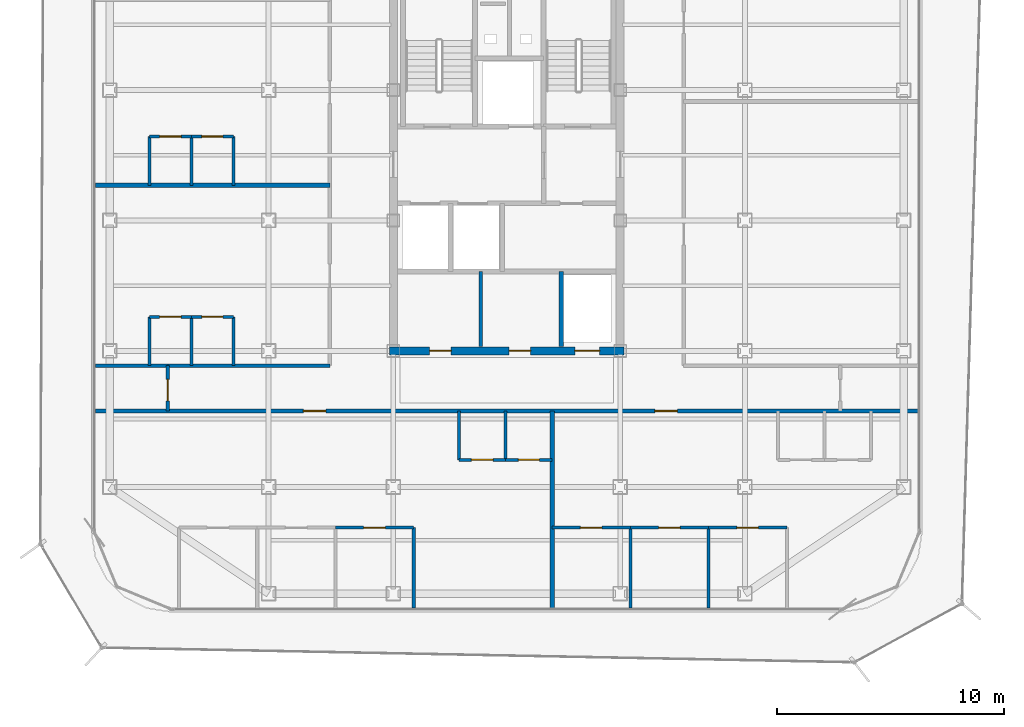
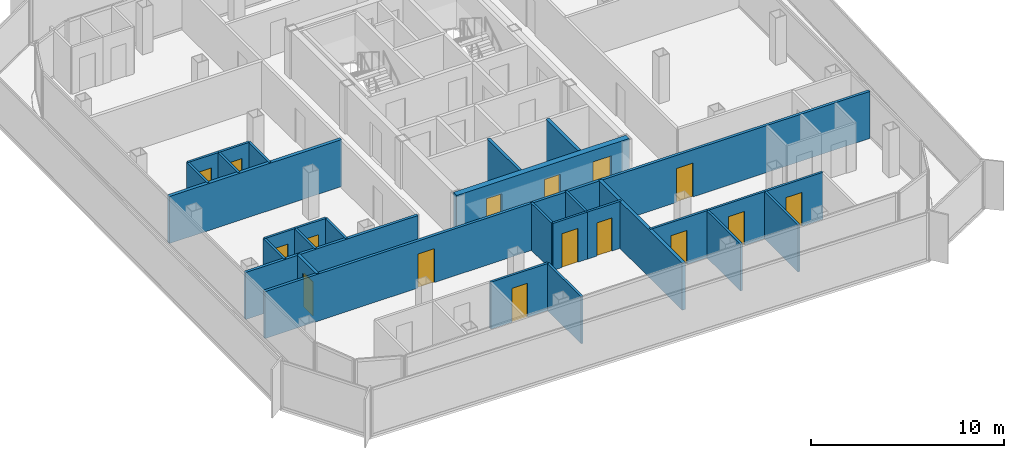
# One storey, part 10 of 15: 30 walls, 16 doors, 16 openings.
"""IFC4 building model written with IfcOpenShell, lengths in metres."""

from ifc_helpers import new_model, si_unit, direction, frame, frame_2d, origin, place, context, subcontext, project, spatial, rectangle, extrude, material, layer, layer_set, type_object, element, fill, save


model = new_model("IFC4")

# Units and contexts
model_context = context("Model", 3, precision=1e-05, world=origin(), true_north=direction((0.0, 1.0)))
body_context = subcontext(model_context, "Body", "Model", "MODEL_VIEW")
ifc_project = project(units=[si_unit("LENGTHUNIT", "METRE"), si_unit("AREAUNIT", "SQUARE_METRE"), si_unit("VOLUMEUNIT", "CUBIC_METRE"), si_unit("PLANEANGLEUNIT", "RADIAN"), si_unit("MASSUNIT", "GRAM", prefix="KILO")], contexts=[model_context])

# Site, building, storey
site_placement = place(None, origin())
site = spatial("IfcSite", under=ifc_project, at=site_placement, CompositionType="ELEMENT")
building_placement = place(site_placement, origin())
building = spatial("IfcBuilding", under=site, at=building_placement, Name="Kolveth Station Tower", CompositionType="ELEMENT")
storey_placement = place(building_placement, frame((0.0, 0.0, 258.5)))
storey = spatial("IfcBuildingStorey", under=building, at=storey_placement, Name="L74", CompositionType="ELEMENT", Elevation=258.5)

# Wall, openings, doors
ifc_material_1 = material(Name="Concrete C50/60", Category="concrete")
ifc_layer_1 = layer(ifc_material_1, 0.35009765625)
ifc_layer_set_1 = layer_set([ifc_layer_1], Name="Concrete C50/60")
wall_type_1 = type_object("IfcWallType", Name="Wall_CW-350", PredefinedType="SHEAR", material=ifc_layer_set_1)
wall_1_placement = place(storey_placement, frame((18.324951171875, 11.5, 0.0), z_axis=(0.0, 0.0, 1.0), x_axis=(1.0, 0.0, 0.0)))
wall_1 = element("IfcWall", 1, at=wall_1_placement, inside=storey, type_object=wall_type_1, Name="L74 Core RC Shear Wall S", PredefinedType="SHEAR", context=body_context, shape_type="SweptSolid", body=[
    extrude(rectangle(XDim=10.35009765625, YDim=0.35009765625, at=frame_2d((5.175048828125, 0.0))), origin(), (0.0, 0.0, 1.0), 2.97998046875),
])
opening_1_placement = place(wall_1_placement, frame((1.77490234375, 0.0, 0.0)))
opening_1 = element("IfcOpeningElement", 2, at=opening_1_placement, cuts=wall_1, Name="Opening ID1", PredefinedType="OPENING", context=body_context, shape_type="SweptSolid", body=[
    extrude(rectangle(XDim=0.949951171875, YDim=2.14990234375, at=frame_2d((0.47509765625, 1.074951171875))), frame((0.0, 0.18505859375, 0.0), z_axis=(0.0, -1.0, 0.0), x_axis=(1.0, 0.0, 0.0)), (0.0, 0.0, 1.0), 0.3701171875),
])
opening_2_placement = place(wall_1_placement, frame((5.27490234375, 0.0, 0.0)))
opening_2 = element("IfcOpeningElement", 3, at=opening_2_placement, cuts=wall_1, Name="Opening ID1", PredefinedType="OPENING", context=body_context, shape_type="SweptSolid", body=[
    extrude(rectangle(XDim=0.949951171875, YDim=2.14990234375, at=frame_2d((0.47509765625, 1.074951171875))), frame((0.0, 0.18505859375, 0.0), z_axis=(0.0, -1.0, 0.0), x_axis=(1.0, 0.0, 0.0)), (0.0, 0.0, 1.0), 0.3701171875),
])
opening_3_placement = place(wall_1_placement, frame((8.175048828125, 0.0, 0.0)))
opening_3 = element("IfcOpeningElement", 4, at=opening_3_placement, cuts=wall_1, Name="Opening LD1", PredefinedType="OPENING", context=body_context, shape_type="SweptSolid", body=[
    extrude(rectangle(XDim=1.10009765625, YDim=2.25, at=frame_2d((0.550048828125, 1.125))), frame((0.0, 0.18505859375, 0.0), z_axis=(0.0, -1.0, 0.0), x_axis=(1.0, 0.0, 0.0)), (0.0, 0.0, 1.0), 0.3701171875),
])
ifc_material_2 = material(Name="Acoustic hardwood leaf and aluminium frame", Category="wood")
door_type_1 = type_object("IfcDoorType", Name="Door_ID1", OperationType="NOTDEFINED", PredefinedType="DOOR", material=ifc_material_2)
door_1_placement = place(opening_1_placement, frame((0.949951171875, 0.0, 0.0), z_axis=(0.0, 0.0, 1.0), x_axis=(-1.0, 0.0, 0.0)))
door_1 = element("IfcDoor", 5, at=door_1_placement, inside=storey, type_object=door_type_1, Name="L74 Laundry Room Door", OperationType="SINGLE_SWING_RIGHT", OverallHeight=2.14990234375, OverallWidth=0.949951171875, PredefinedType="DOOR", context=body_context, shape_type="SweptSolid", body=[
    extrude(rectangle(XDim=0.949951171875, YDim=2.14990234375, at=frame_2d((0.47509765625, 1.074951171875))), frame((0.0, 0.02490234375, 0.0), z_axis=(0.0, -1.0, 0.0), x_axis=(1.0, 0.0, 0.0)), (0.0, 0.0, 1.0), 0.050048828125),
])
fill(opening_1, door_1)
door_2_placement = place(opening_2_placement, frame((0.949951171875, 0.0, 0.0), z_axis=(0.0, 0.0, 1.0), x_axis=(-1.0, 0.0, 0.0)))
door_2 = element("IfcDoor", 6, at=door_2_placement, inside=storey, type_object=door_type_1, Name="L74 Parcel Room Door", OperationType="SINGLE_SWING_LEFT", OverallHeight=2.14990234375, OverallWidth=0.949951171875, PredefinedType="DOOR", context=body_context, shape_type="SweptSolid", body=[
    extrude(rectangle(XDim=0.949951171875, YDim=2.14990234375, at=frame_2d((0.47509765625, 1.074951171875))), frame((0.0, 0.02490234375, 0.0), z_axis=(0.0, -1.0, 0.0), x_axis=(1.0, 0.0, 0.0)), (0.0, 0.0, 1.0), 0.050048828125),
])
fill(opening_2, door_2)
ifc_material_3 = material(Name="Brushed stainless steel sliding landing doors", Category="steel")
door_type_2 = type_object("IfcDoorType", Name="Door_LD1", OperationType="NOTDEFINED", PredefinedType="DOOR", material=ifc_material_3)
door_3_placement = place(opening_3_placement, frame((1.10009765625, 0.0, 0.0), z_axis=(0.0, 0.0, 1.0), x_axis=(-1.0, 0.0, 0.0)))
door_3 = element("IfcDoor", 7, at=door_3_placement, inside=storey, type_object=door_type_2, Name="L74 Lift PH1 Landing Door", OperationType="DOUBLE_DOOR_SLIDING", OverallHeight=2.25, OverallWidth=1.10009765625, PredefinedType="DOOR", context=body_context, shape_type="SweptSolid", body=[
    extrude(rectangle(XDim=1.10009765625, YDim=2.25, at=frame_2d((0.550048828125, 1.125))), frame((0.0, 0.02490234375, 0.0), z_axis=(0.0, -1.0, 0.0), x_axis=(1.0, 0.0, 0.0)), (0.0, 0.0, 1.0), 0.050048828125),
])
fill(opening_3, door_3)

# Wall, opening, door
ifc_material_4 = material(Name="Moisture-resistant gypsum partition")
ifc_layer_2 = layer(ifc_material_4, 0.135009765625)
ifc_layer_set_2 = layer_set([ifc_layer_2], Name="Moisture-resistant gypsum partition")
wall_type_2 = type_object("IfcWallType", Name="Wall_IW-135", PredefinedType="PARTITIONING", material=ifc_layer_set_2)
wall_2_placement = place(storey_placement, frame((21.39990234375, 6.699951171875, 0.0), z_axis=(0.0, 0.0, 1.0), x_axis=(1.0, 0.0, 0.0)))
wall_2 = element("IfcWall", 8, at=wall_2_placement, inside=storey, type_object=wall_type_2, Name="L74 Partition Wall WL-L74-A1-IBHK", PredefinedType="PARTITIONING", context=body_context, shape_type="SweptSolid", body=[
    extrude(rectangle(XDim=2.050048828125, YDim=0.135009765625, at=frame_2d((1.02490234375, 0.0))), origin(), (0.0, 0.0, 1.0), 2.97998046875),
])
opening_4_placement = place(wall_2_placement, frame((0.544921875, 0.0, 0.0)))
opening_4 = element("IfcOpeningElement", 9, at=opening_4_placement, cuts=wall_2, Name="Opening ID1", PredefinedType="OPENING", context=body_context, shape_type="SweptSolid", body=[
    extrude(rectangle(XDim=0.949951171875, YDim=2.14990234375, at=frame_2d((0.47509765625, 1.074951171875))), frame((0.0, 0.077392578125, 0.0), z_axis=(0.0, -1.0, 0.0), x_axis=(1.0, 0.0, 0.0)), (0.0, 0.0, 1.0), 0.155029296875),
])
door_4_placement = place(opening_4_placement, origin())
door_4 = element("IfcDoor", 10, at=door_4_placement, inside=storey, type_object=door_type_1, Name="Penthouse Flat L74-A1 Kitchen Door", OperationType="SINGLE_SWING_RIGHT", OverallHeight=2.14990234375, OverallWidth=0.949951171875, PredefinedType="DOOR", context=body_context, shape_type="SweptSolid", body=[
    extrude(rectangle(XDim=0.949951171875, YDim=2.14990234375, at=frame_2d((0.47509765625, 1.074951171875))), frame((0.0, 0.02490234375, 0.0), z_axis=(0.0, -1.0, 0.0), x_axis=(1.0, 0.0, 0.0)), (0.0, 0.0, 1.0), 0.050048828125),
])
fill(opening_4, door_4)

wall_3_placement = place(storey_placement, frame((23.449951171875, 6.699951171875, 0.0), z_axis=(0.0, 0.0, 1.0), x_axis=(1.0, 0.0, 0.0)))
wall_3 = element("IfcWall", 11, at=wall_3_placement, inside=storey, type_object=wall_type_2, Name="L74 Partition Wall WL-L74-A1-IBHB", PredefinedType="PARTITIONING", context=body_context, shape_type="SweptSolid", body=[
    extrude(rectangle(XDim=2.050048828125, YDim=0.135009765625, at=frame_2d((1.02490234375, 0.0))), origin(), (0.0, 0.0, 1.0), 2.97998046875),
])
opening_5_placement = place(wall_3_placement, frame((0.56494140625, 0.0, 0.0)))
opening_5 = element("IfcOpeningElement", 12, at=opening_5_placement, cuts=wall_3, Name="Opening ID2", PredefinedType="OPENING", context=body_context, shape_type="SweptSolid", body=[
    extrude(rectangle(XDim=0.919921875, YDim=2.10009765625, at=frame_2d((0.4599609375, 1.050048828125))), frame((0.0, 0.077392578125, 0.0), z_axis=(0.0, -1.0, 0.0), x_axis=(1.0, 0.0, 0.0)), (0.0, 0.0, 1.0), 0.155029296875),
])
ifc_material_5 = material(Name="Moisture-resistant hardwood leaf", Category="wood")
door_type_3 = type_object("IfcDoorType", Name="Door_ID2", OperationType="NOTDEFINED", PredefinedType="DOOR", material=ifc_material_5)
door_5_placement = place(opening_5_placement, origin())
door_5 = element("IfcDoor", 13, at=door_5_placement, inside=storey, type_object=door_type_3, Name="Penthouse Flat L74-A1 Bathroom Door", OperationType="SINGLE_SWING_LEFT", OverallHeight=2.10009765625, OverallWidth=0.919921875, PredefinedType="DOOR", context=body_context, shape_type="SweptSolid", body=[
    extrude(rectangle(XDim=0.919921875, YDim=2.10009765625, at=frame_2d((0.4599609375, 1.050048828125))), frame((0.0, 0.02490234375, 0.0), z_axis=(0.0, -1.0, 0.0), x_axis=(1.0, 0.0, 0.0)), (0.0, 0.0, 1.0), 0.050048828125),
])
fill(opening_5, door_5)

# Walls
for number, where, z_axis, x_axis, name in (
    (14, (21.39990234375, 6.699951171875, 0.0), (0.0, 0.0, 1.0), (0.0, 1.0, 0.0), "L74 Partition Wall WL-L74-A1-IBV0"),
    (15, (23.449951171875, 6.699951171875, 0.0), (0.0, 0.0, 1.0), (0.0, 1.0, 0.0), "L74 Partition Wall WL-L74-A1-IBV1"),
):
    element("IfcWall", number, at=place(storey_placement, frame(where, z_axis=z_axis, x_axis=x_axis)), inside=storey, type_object=wall_type_2, Name=name, PredefinedType="PARTITIONING", context=body_context, shape_type="SweptSolid", body=[
        extrude(rectangle(XDim=2.150146484375, YDim=0.135009765625, at=frame_2d((1.0751953125, 0.0))), origin(), (0.0, 0.0, 1.0), 2.97998046875),
    ])
wall_4_placement = place(storey_placement, frame((19.39990234375, 0.159912109375, 0.0), z_axis=(0.0, 0.0, 1.0), x_axis=(0.0, 1.0, 0.0)))
element("IfcWall", 16, at=wall_4_placement, inside=storey, type_object=wall_type_2, Name="L74 Partition Wall WL-L74-A1-BDVE", PredefinedType="PARTITIONING", context=body_context, shape_type="SweptSolid", body=[
    extrude(rectangle(XDim=3.550048828125, YDim=0.135009765625, at=frame_2d((1.77490234375, 0.0))), origin(), (0.0, 0.0, 1.0), 2.97998046875),
])

# Wall, opening, door
wall_5_placement = place(storey_placement, frame((15.949951171875, 3.7099609375, 0.0), z_axis=(0.0, 0.0, 1.0), x_axis=(1.0, 0.0, 0.0)))
wall_5 = element("IfcWall", 17, at=wall_5_placement, inside=storey, type_object=wall_type_2, Name="L74 Partition Wall WL-L74-A1-BDH3", PredefinedType="PARTITIONING", context=body_context, shape_type="SweptSolid", body=[
    extrude(rectangle(XDim=3.449951171875, YDim=0.135009765625, at=frame_2d((1.72509765625, 0.0))), origin(), (0.0, 0.0, 1.0), 2.97998046875),
])
opening_6_placement = place(wall_5_placement, frame((1.2451171875, 0.0, 0.0)))
opening_6 = element("IfcOpeningElement", 18, at=opening_6_placement, cuts=wall_5, Name="Opening ID1", PredefinedType="OPENING", context=body_context, shape_type="SweptSolid", body=[
    extrude(rectangle(XDim=0.949951171875, YDim=2.14990234375, at=frame_2d((0.47509765625, 1.074951171875))), frame((0.0, 0.077392578125, 0.0), z_axis=(0.0, -1.0, 0.0), x_axis=(1.0, 0.0, 0.0)), (0.0, 0.0, 1.0), 0.155029296875),
])
door_6_placement = place(opening_6_placement, frame((0.949951171875, 0.0, 0.0), z_axis=(0.0, 0.0, 1.0), x_axis=(-1.0, 0.0, 0.0)))
door_6 = element("IfcDoor", 19, at=door_6_placement, inside=storey, type_object=door_type_1, Name="Penthouse Flat L74-A1 Bedroom 3 Door", OperationType="SINGLE_SWING_LEFT", OverallHeight=2.14990234375, OverallWidth=0.949951171875, PredefinedType="DOOR", context=body_context, shape_type="SweptSolid", body=[
    extrude(rectangle(XDim=0.949951171875, YDim=2.14990234375, at=frame_2d((0.47509765625, 1.074951171875))), frame((0.0, 0.02490234375, 0.0), z_axis=(0.0, -1.0, 0.0), x_axis=(1.0, 0.0, 0.0)), (0.0, 0.0, 1.0), 0.050048828125),
])
fill(opening_6, door_6)

wall_6_placement = place(storey_placement, frame((25.5, 3.7099609375, 0.0), z_axis=(0.0, 0.0, 1.0), x_axis=(1.0, 0.0, 0.0)))
wall_6 = element("IfcWall", 20, at=wall_6_placement, inside=storey, type_object=wall_type_2, Name="L74 Partition Wall WL-L74-A2-BDH1", PredefinedType="PARTITIONING", context=body_context, shape_type="SweptSolid", body=[
    extrude(rectangle(XDim=3.449951171875, YDim=0.135009765625, at=frame_2d((1.72509765625, 0.0))), origin(), (0.0, 0.0, 1.0), 2.97998046875),
])
opening_7_placement = place(wall_6_placement, frame((1.2451171875, 0.0, 0.0)))
opening_7 = element("IfcOpeningElement", 21, at=opening_7_placement, cuts=wall_6, Name="Opening ID1", PredefinedType="OPENING", context=body_context, shape_type="SweptSolid", body=[
    extrude(rectangle(XDim=0.949951171875, YDim=2.14990234375, at=frame_2d((0.47509765625, 1.074951171875))), frame((0.0, 0.077392578125, 0.0), z_axis=(0.0, -1.0, 0.0), x_axis=(1.0, 0.0, 0.0)), (0.0, 0.0, 1.0), 0.155029296875),
])
door_7_placement = place(opening_7_placement, frame((0.949951171875, 0.0, 0.0), z_axis=(0.0, 0.0, 1.0), x_axis=(-1.0, 0.0, 0.0)))
door_7 = element("IfcDoor", 22, at=door_7_placement, inside=storey, type_object=door_type_1, Name="Penthouse Flat L74-A2 Bedroom 1 Door", OperationType="SINGLE_SWING_RIGHT", OverallHeight=2.14990234375, OverallWidth=0.949951171875, PredefinedType="DOOR", context=body_context, shape_type="SweptSolid", body=[
    extrude(rectangle(XDim=0.949951171875, YDim=2.14990234375, at=frame_2d((0.47509765625, 1.074951171875))), frame((0.0, 0.02490234375, 0.0), z_axis=(0.0, -1.0, 0.0), x_axis=(1.0, 0.0, 0.0)), (0.0, 0.0, 1.0), 0.050048828125),
])
fill(opening_7, door_7)

wall_7_placement = place(storey_placement, frame((28.949951171875, 3.7099609375, 0.0), z_axis=(0.0, 0.0, 1.0), x_axis=(1.0, 0.0, 0.0)))
wall_7 = element("IfcWall", 23, at=wall_7_placement, inside=storey, type_object=wall_type_2, Name="L74 Partition Wall WL-L74-A2-BDH2", PredefinedType="PARTITIONING", context=body_context, shape_type="SweptSolid", body=[
    extrude(rectangle(XDim=3.449951171875, YDim=0.135009765625, at=frame_2d((1.72509765625, 0.0))), origin(), (0.0, 0.0, 1.0), 2.97998046875),
])
opening_8_placement = place(wall_7_placement, frame((1.2451171875, 0.0, 0.0)))
opening_8 = element("IfcOpeningElement", 24, at=opening_8_placement, cuts=wall_7, Name="Opening ID1", PredefinedType="OPENING", context=body_context, shape_type="SweptSolid", body=[
    extrude(rectangle(XDim=0.949951171875, YDim=2.14990234375, at=frame_2d((0.47509765625, 1.074951171875))), frame((0.0, 0.077392578125, 0.0), z_axis=(0.0, -1.0, 0.0), x_axis=(1.0, 0.0, 0.0)), (0.0, 0.0, 1.0), 0.155029296875),
])
door_8_placement = place(opening_8_placement, frame((0.949951171875, 0.0, 0.0), z_axis=(0.0, 0.0, 1.0), x_axis=(-1.0, 0.0, 0.0)))
door_8 = element("IfcDoor", 25, at=door_8_placement, inside=storey, type_object=door_type_1, Name="Penthouse Flat L74-A2 Bedroom 2 Door", OperationType="SINGLE_SWING_LEFT", OverallHeight=2.14990234375, OverallWidth=0.949951171875, PredefinedType="DOOR", context=body_context, shape_type="SweptSolid", body=[
    extrude(rectangle(XDim=0.949951171875, YDim=2.14990234375, at=frame_2d((0.47509765625, 1.074951171875))), frame((0.0, 0.02490234375, 0.0), z_axis=(0.0, -1.0, 0.0), x_axis=(1.0, 0.0, 0.0)), (0.0, 0.0, 1.0), 0.050048828125),
])
fill(opening_8, door_8)

# Wall
wall_8_placement = place(storey_placement, frame((28.949951171875, 0.159912109375, 0.0), z_axis=(0.0, 0.0, 1.0), x_axis=(0.0, 1.0, 0.0)))
element("IfcWall", 26, at=wall_8_placement, inside=storey, type_object=wall_type_2, Name="L74 Partition Wall WL-L74-A2-BDV1", PredefinedType="PARTITIONING", context=body_context, shape_type="SweptSolid", body=[
    extrude(rectangle(XDim=3.550048828125, YDim=0.135009765625, at=frame_2d((1.77490234375, 0.0))), origin(), (0.0, 0.0, 1.0), 2.97998046875),
])

# Wall, opening, door
wall_9_placement = place(storey_placement, frame((32.39990234375, 3.7099609375, 0.0), z_axis=(0.0, 0.0, 1.0), x_axis=(1.0, 0.0, 0.0)))
wall_9 = element("IfcWall", 27, at=wall_9_placement, inside=storey, type_object=wall_type_2, Name="L74 Partition Wall WL-L74-A2-BDH3", PredefinedType="PARTITIONING", context=body_context, shape_type="SweptSolid", body=[
    extrude(rectangle(XDim=3.4501953125, YDim=0.135009765625, at=frame_2d((1.72509765625, 0.0))), origin(), (0.0, 0.0, 1.0), 2.97998046875),
])
opening_9_placement = place(wall_9_placement, frame((1.2451171875, 0.0, 0.0)))
opening_9 = element("IfcOpeningElement", 28, at=opening_9_placement, cuts=wall_9, Name="Opening ID1", PredefinedType="OPENING", context=body_context, shape_type="SweptSolid", body=[
    extrude(rectangle(XDim=0.949951171875, YDim=2.14990234375, at=frame_2d((0.47509765625, 1.074951171875))), frame((0.0, 0.077392578125, 0.0), z_axis=(0.0, -1.0, 0.0), x_axis=(1.0, 0.0, 0.0)), (0.0, 0.0, 1.0), 0.155029296875),
])
door_9_placement = place(opening_9_placement, frame((0.949951171875, 0.0, 0.0), z_axis=(0.0, 0.0, 1.0), x_axis=(-1.0, 0.0, 0.0)))
door_9 = element("IfcDoor", 29, at=door_9_placement, inside=storey, type_object=door_type_1, Name="Penthouse Flat L74-A2 Bedroom 3 Door", OperationType="SINGLE_SWING_RIGHT", OverallHeight=2.14990234375, OverallWidth=0.949951171875, PredefinedType="DOOR", context=body_context, shape_type="SweptSolid", body=[
    extrude(rectangle(XDim=0.949951171875, YDim=2.14990234375, at=frame_2d((0.47509765625, 1.074951171875))), frame((0.0, 0.02490234375, 0.0), z_axis=(0.0, -1.0, 0.0), x_axis=(1.0, 0.0, 0.0)), (0.0, 0.0, 1.0), 0.050048828125),
])
fill(opening_9, door_9)

# Wall
wall_10_placement = place(storey_placement, frame((32.39990234375, 0.159912109375, 0.0), z_axis=(0.0, 0.0, 1.0), x_axis=(0.0, 1.0, 0.0)))
element("IfcWall", 30, at=wall_10_placement, inside=storey, type_object=wall_type_2, Name="L74 Partition Wall WL-L74-A2-BDV2", PredefinedType="PARTITIONING", context=body_context, shape_type="SweptSolid", body=[
    extrude(rectangle(XDim=3.550048828125, YDim=0.135009765625, at=frame_2d((1.77490234375, 0.0))), origin(), (0.0, 0.0, 1.0), 2.97998046875),
])

# Wall, opening, door
wall_11_placement = place(storey_placement, frame((7.75, 13.0, 0.0), z_axis=(0.0, 0.0, 1.0), x_axis=(1.0, 0.0, 0.0)))
wall_11 = element("IfcWall", 31, at=wall_11_placement, inside=storey, type_object=wall_type_2, Name="L74 Partition Wall WL-L74-W1-IBHK", PredefinedType="PARTITIONING", context=body_context, shape_type="SweptSolid", body=[
    extrude(rectangle(XDim=1.85009765625, YDim=0.135009765625, at=frame_2d((0.925048828125, 0.0))), origin(), (0.0, 0.0, 1.0), 2.97998046875),
])
opening_10_placement = place(wall_11_placement, frame((0.445068359375, 0.0, 0.0)))
opening_10 = element("IfcOpeningElement", 32, at=opening_10_placement, cuts=wall_11, Name="Opening ID1", PredefinedType="OPENING", context=body_context, shape_type="SweptSolid", body=[
    extrude(rectangle(XDim=0.949951171875, YDim=2.14990234375, at=frame_2d((0.47509765625, 1.074951171875))), frame((0.0, 0.077392578125, 0.0), z_axis=(0.0, -1.0, 0.0), x_axis=(1.0, 0.0, 0.0)), (0.0, 0.0, 1.0), 0.155029296875),
])
door_10_placement = place(opening_10_placement, origin())
door_10 = element("IfcDoor", 33, at=door_10_placement, inside=storey, type_object=door_type_1, Name="Flat L74-W1 Kitchen Door", OperationType="SINGLE_SWING_LEFT", OverallHeight=2.14990234375, OverallWidth=0.949951171875, PredefinedType="DOOR", context=body_context, shape_type="SweptSolid", body=[
    extrude(rectangle(XDim=0.949951171875, YDim=2.14990234375, at=frame_2d((0.47509765625, 1.074951171875))), frame((0.0, 0.02490234375, 0.0), z_axis=(0.0, -1.0, 0.0), x_axis=(1.0, 0.0, 0.0)), (0.0, 0.0, 1.0), 0.050048828125),
])
fill(opening_10, door_10)

wall_12_placement = place(storey_placement, frame((9.60009765625, 13.0, 0.0), z_axis=(0.0, 0.0, 1.0), x_axis=(1.0, 0.0, 0.0)))
wall_12 = element("IfcWall", 34, at=wall_12_placement, inside=storey, type_object=wall_type_2, Name="L74 Partition Wall WL-L74-W1-IBHB", PredefinedType="PARTITIONING", context=body_context, shape_type="SweptSolid", body=[
    extrude(rectangle(XDim=1.849853515625, YDim=0.135009765625, at=frame_2d((0.9248046875, 0.0))), origin(), (0.0, 0.0, 1.0), 2.97998046875),
])
opening_11_placement = place(wall_12_placement, frame((0.465087890625, 0.0, 0.0)))
opening_11 = element("IfcOpeningElement", 35, at=opening_11_placement, cuts=wall_12, Name="Opening ID2", PredefinedType="OPENING", context=body_context, shape_type="SweptSolid", body=[
    extrude(rectangle(XDim=0.919921875, YDim=2.10009765625, at=frame_2d((0.4599609375, 1.050048828125))), frame((0.0, 0.077392578125, 0.0), z_axis=(0.0, -1.0, 0.0), x_axis=(1.0, 0.0, 0.0)), (0.0, 0.0, 1.0), 0.155029296875),
])
door_11_placement = place(opening_11_placement, origin())
door_11 = element("IfcDoor", 36, at=door_11_placement, inside=storey, type_object=door_type_3, Name="Flat L74-W1 Bathroom Door", OperationType="SINGLE_SWING_LEFT", OverallHeight=2.10009765625, OverallWidth=0.919921875, PredefinedType="DOOR", context=body_context, shape_type="SweptSolid", body=[
    extrude(rectangle(XDim=0.919921875, YDim=2.10009765625, at=frame_2d((0.4599609375, 1.050048828125))), frame((0.0, 0.02490234375, 0.0), z_axis=(0.0, -1.0, 0.0), x_axis=(1.0, 0.0, 0.0)), (0.0, 0.0, 1.0), 0.050048828125),
])
fill(opening_11, door_11)

# Walls
for number, where, z_axis, x_axis, name in (
    (37, (7.75, 10.85009765625, 0.0), (0.0, 0.0, 1.0), (0.0, 1.0, 0.0), "L74 Partition Wall WL-L74-W1-IBV0"),
    (38, (9.60009765625, 10.85009765625, 0.0), (0.0, 0.0, 1.0), (0.0, 1.0, 0.0), "L74 Partition Wall WL-L74-W1-IBV1"),
    (39, (11.449951171875, 10.85009765625, 0.0), (0.0, 0.0, 1.0), (0.0, 1.0, 0.0), "L74 Partition Wall WL-L74-W1-IBV2"),
):
    element("IfcWall", number, at=place(storey_placement, frame(where, z_axis=z_axis, x_axis=x_axis)), inside=storey, type_object=wall_type_2, Name=name, PredefinedType="PARTITIONING", context=body_context, shape_type="SweptSolid", body=[
        extrude(rectangle(XDim=2.14990234375, YDim=0.135009765625, at=frame_2d((1.074951171875, 0.0))), origin(), (0.0, 0.0, 1.0), 2.97998046875),
    ])

# Wall, opening, door
wall_13_placement = place(storey_placement, frame((7.75, 20.949951171875, 0.0), z_axis=(0.0, 0.0, 1.0), x_axis=(1.0, 0.0, 0.0)))
wall_13 = element("IfcWall", 40, at=wall_13_placement, inside=storey, type_object=wall_type_2, Name="L74 Partition Wall WL-L74-W2-IBHK", PredefinedType="PARTITIONING", context=body_context, shape_type="SweptSolid", body=[
    extrude(rectangle(XDim=1.85009765625, YDim=0.135009765625, at=frame_2d((0.925048828125, 0.0))), origin(), (0.0, 0.0, 1.0), 2.97998046875),
])
opening_12_placement = place(wall_13_placement, frame((0.445068359375, 0.0, 0.0)))
opening_12 = element("IfcOpeningElement", 41, at=opening_12_placement, cuts=wall_13, Name="Opening ID1", PredefinedType="OPENING", context=body_context, shape_type="SweptSolid", body=[
    extrude(rectangle(XDim=0.949951171875, YDim=2.14990234375, at=frame_2d((0.47509765625, 1.074951171875))), frame((0.0, 0.077392578125, 0.0), z_axis=(0.0, -1.0, 0.0), x_axis=(1.0, 0.0, 0.0)), (0.0, 0.0, 1.0), 0.155029296875),
])
door_12_placement = place(opening_12_placement, origin())
door_12 = element("IfcDoor", 42, at=door_12_placement, inside=storey, type_object=door_type_1, Name="Flat L74-W2 Kitchen Door", OperationType="SINGLE_SWING_LEFT", OverallHeight=2.14990234375, OverallWidth=0.949951171875, PredefinedType="DOOR", context=body_context, shape_type="SweptSolid", body=[
    extrude(rectangle(XDim=0.949951171875, YDim=2.14990234375, at=frame_2d((0.47509765625, 1.074951171875))), frame((0.0, 0.02490234375, 0.0), z_axis=(0.0, -1.0, 0.0), x_axis=(1.0, 0.0, 0.0)), (0.0, 0.0, 1.0), 0.050048828125),
])
fill(opening_12, door_12)

wall_14_placement = place(storey_placement, frame((9.60009765625, 20.949951171875, 0.0), z_axis=(0.0, 0.0, 1.0), x_axis=(1.0, 0.0, 0.0)))
wall_14 = element("IfcWall", 43, at=wall_14_placement, inside=storey, type_object=wall_type_2, Name="L74 Partition Wall WL-L74-W2-IBHB", PredefinedType="PARTITIONING", context=body_context, shape_type="SweptSolid", body=[
    extrude(rectangle(XDim=1.849853515625, YDim=0.135009765625, at=frame_2d((0.9248046875, 0.0))), origin(), (0.0, 0.0, 1.0), 2.97998046875),
])
opening_13_placement = place(wall_14_placement, frame((0.465087890625, 0.0, 0.0)))
opening_13 = element("IfcOpeningElement", 44, at=opening_13_placement, cuts=wall_14, Name="Opening ID2", PredefinedType="OPENING", context=body_context, shape_type="SweptSolid", body=[
    extrude(rectangle(XDim=0.919921875, YDim=2.10009765625, at=frame_2d((0.4599609375, 1.050048828125))), frame((0.0, 0.077392578125, 0.0), z_axis=(0.0, -1.0, 0.0), x_axis=(1.0, 0.0, 0.0)), (0.0, 0.0, 1.0), 0.155029296875),
])
door_13_placement = place(opening_13_placement, origin())
door_13 = element("IfcDoor", 45, at=door_13_placement, inside=storey, type_object=door_type_3, Name="Flat L74-W2 Bathroom Door", OperationType="SINGLE_SWING_RIGHT", OverallHeight=2.10009765625, OverallWidth=0.919921875, PredefinedType="DOOR", context=body_context, shape_type="SweptSolid", body=[
    extrude(rectangle(XDim=0.919921875, YDim=2.10009765625, at=frame_2d((0.4599609375, 1.050048828125))), frame((0.0, 0.02490234375, 0.0), z_axis=(0.0, -1.0, 0.0), x_axis=(1.0, 0.0, 0.0)), (0.0, 0.0, 1.0), 0.050048828125),
])
fill(opening_13, door_13)

# Walls
for number, where, z_axis, x_axis, name in (
    (46, (7.75, 18.800048828125, 0.0), (0.0, 0.0, 1.0), (0.0, 1.0, 0.0), "L74 Partition Wall WL-L74-W2-IBV0"),
    (47, (9.60009765625, 18.800048828125, 0.0), (0.0, 0.0, 1.0), (0.0, 1.0, 0.0), "L74 Partition Wall WL-L74-W2-IBV1"),
    (48, (11.449951171875, 18.800048828125, 0.0), (0.0, 0.0, 1.0), (0.0, 1.0, 0.0), "L74 Partition Wall WL-L74-W2-IBV2"),
):
    element("IfcWall", number, at=place(storey_placement, frame(where, z_axis=z_axis, x_axis=x_axis)), inside=storey, type_object=wall_type_2, Name=name, PredefinedType="PARTITIONING", context=body_context, shape_type="SweptSolid", body=[
        extrude(rectangle(XDim=2.14990234375, YDim=0.135009765625, at=frame_2d((1.074951171875, 0.0))), origin(), (0.0, 0.0, 1.0), 2.97998046875),
    ])
ifc_material_6 = material(Name="Acoustic double-stud gypsum partition")
ifc_layer_3 = layer(ifc_material_6, 0.1650390625)
ifc_layer_set_3 = layer_set([ifc_layer_3], Name="Acoustic double-stud gypsum partition")
wall_type_3 = type_object("IfcWallType", Name="Wall_IW-165", PredefinedType="PARTITIONING", material=ifc_layer_set_3)
wall_15_placement = place(storey_placement, frame((22.35009765625, 11.68505859375, 0.0), z_axis=(0.0, 0.0, 1.0), x_axis=(0.0, 1.0, 0.0)))
element("IfcWall", 49, at=wall_15_placement, inside=storey, type_object=wall_type_3, Name="L74 Partition Wall WL-L74-FR-M", PredefinedType="PARTITIONING", context=body_context, shape_type="SweptSolid", body=[
    extrude(rectangle(XDim=3.31494140625, YDim=0.1650390625, at=frame_2d((1.657470703125, 0.0))), origin(), (0.0, 0.0, 1.0), 2.97998046875),
])

# Wall, openings, doors
wall_16_placement = place(storey_placement, frame((5.360107421875, 8.85009765625, 0.0), z_axis=(0.0, 0.0, 1.0), x_axis=(1.0, 0.0, 0.0)))
wall_16 = element("IfcWall", 50, at=wall_16_placement, inside=storey, type_object=wall_type_3, Name="L74 Partition Wall WL-L74-RS", PredefinedType="PARTITIONING", context=body_context, shape_type="SweptSolid", body=[
    extrude(rectangle(XDim=36.27978515625, YDim=0.1650390625, at=frame_2d((18.139892578125, 0.0))), origin(), (0.0, 0.0, 1.0), 2.97998046875),
])
opening_14_placement = place(wall_16_placement, frame((9.169921875, 0.0, 0.0)))
opening_14 = element("IfcOpeningElement", 51, at=opening_14_placement, cuts=wall_16, Name="Opening FD3", PredefinedType="OPENING", context=body_context, shape_type="SweptSolid", body=[
    extrude(rectangle(XDim=1.0, YDim=2.14990234375, at=frame_2d((0.5, 1.074951171875))), frame((0.0, 0.092529296875, 0.0), z_axis=(0.0, -1.0, 0.0), x_axis=(1.0, 0.0, 0.0)), (0.0, 0.0, 1.0), 0.18505859375),
])
opening_15_placement = place(wall_16_placement, frame((24.6650390625, 0.0, 0.0)))
opening_15 = element("IfcOpeningElement", 52, at=opening_15_placement, cuts=wall_16, Name="Opening FD3", PredefinedType="OPENING", context=body_context, shape_type="SweptSolid", body=[
    extrude(rectangle(XDim=1.0, YDim=2.14990234375, at=frame_2d((0.5, 1.074951171875))), frame((0.0, 0.092529296875, 0.0), z_axis=(0.0, -1.0, 0.0), x_axis=(1.0, 0.0, 0.0)), (0.0, 0.0, 1.0), 0.18505859375),
])
ifc_material_7 = material(Name="Fire-rated hardwood leaf and aluminium frame", Category="wood")
door_type_4 = type_object("IfcDoorType", Name="Door_FD3", OperationType="NOTDEFINED", PredefinedType="DOOR", material=ifc_material_7)
door_14_placement = place(opening_14_placement, frame((1.0, 0.0, 0.0), z_axis=(0.0, 0.0, 1.0), x_axis=(-1.0, 0.0, 0.0)))
door_14 = element("IfcDoor", 53, at=door_14_placement, inside=storey, type_object=door_type_4, Name="Penthouse Flat L74-A1 Entrance Door", OperationType="SINGLE_SWING_LEFT", OverallHeight=2.14990234375, OverallWidth=1.0, PredefinedType="DOOR", context=body_context, shape_type="SweptSolid", body=[
    extrude(rectangle(XDim=1.0, YDim=2.14990234375, at=frame_2d((0.5, 1.074951171875))), frame((0.0, 0.02490234375, 0.0), z_axis=(0.0, -1.0, 0.0), x_axis=(1.0, 0.0, 0.0)), (0.0, 0.0, 1.0), 0.050048828125),
])
fill(opening_14, door_14)
door_15_placement = place(opening_15_placement, frame((1.0, 0.0, 0.0), z_axis=(0.0, 0.0, 1.0), x_axis=(-1.0, 0.0, 0.0)))
door_15 = element("IfcDoor", 54, at=door_15_placement, inside=storey, type_object=door_type_4, Name="Penthouse Flat L74-A2 Entrance Door", OperationType="SINGLE_SWING_LEFT", OverallHeight=2.14990234375, OverallWidth=1.0, PredefinedType="DOOR", context=body_context, shape_type="SweptSolid", body=[
    extrude(rectangle(XDim=1.0, YDim=2.14990234375, at=frame_2d((0.5, 1.074951171875))), frame((0.0, 0.02490234375, 0.0), z_axis=(0.0, -1.0, 0.0), x_axis=(1.0, 0.0, 0.0)), (0.0, 0.0, 1.0), 0.050048828125),
])
fill(opening_15, door_15)

# Wall
wall_17_placement = place(storey_placement, frame((8.56005859375, 10.85009765625, 0.0), z_axis=(0.0, 0.0, 1.0), x_axis=(1.0, 0.0, 0.0)))
element("IfcWall", 55, at=wall_17_placement, inside=storey, type_object=wall_type_3, Name="L74 Partition Wall WL-L74-RSWT", PredefinedType="PARTITIONING", context=body_context, shape_type="SweptSolid", body=[
    extrude(rectangle(XDim=7.139892578125, YDim=0.1650390625, at=frame_2d((3.56982421875, 0.0))), origin(), (0.0, 0.0, 1.0), 2.97998046875),
])

# Wall, opening, door
wall_18_placement = place(storey_placement, frame((8.56005859375, 8.85009765625, 0.0), z_axis=(0.0, 0.0, 1.0), x_axis=(0.0, 1.0, 0.0)))
wall_18 = element("IfcWall", 56, at=wall_18_placement, inside=storey, type_object=wall_type_3, Name="L74 Partition Wall WL-L74-RSWE", PredefinedType="PARTITIONING", context=body_context, shape_type="SweptSolid", body=[
    extrude(rectangle(XDim=2.0, YDim=0.1650390625, at=frame_2d((1.0, 0.0))), origin(), (0.0, 0.0, 1.0), 2.97998046875),
])
opening_16_placement = place(wall_18_placement, frame((0.449951171875, 0.0, 0.0)))
opening_16 = element("IfcOpeningElement", 57, at=opening_16_placement, cuts=wall_18, Name="Opening ID1", PredefinedType="OPENING", context=body_context, shape_type="SweptSolid", body=[
    extrude(rectangle(XDim=0.949951171875, YDim=2.14990234375, at=frame_2d((0.47509765625, 1.074951171875))), frame((0.0, 0.092529296875, 0.0), z_axis=(0.0, -1.0, 0.0), x_axis=(1.0, 0.0, 0.0)), (0.0, 0.0, 1.0), 0.18505859375),
])
door_16_placement = place(opening_16_placement, frame((0.949951171875, 0.0, 0.0), z_axis=(0.0, 0.0, 1.0), x_axis=(-1.0, 0.0, 0.0)))
door_16 = element("IfcDoor", 58, at=door_16_placement, inside=storey, type_object=door_type_1, Name="L74 West Store Door", OperationType="SINGLE_SWING_RIGHT", OverallHeight=2.14990234375, OverallWidth=0.949951171875, PredefinedType="DOOR", context=body_context, shape_type="SweptSolid", body=[
    extrude(rectangle(XDim=0.949951171875, YDim=2.14990234375, at=frame_2d((0.47509765625, 1.074951171875))), frame((0.0, 0.02490234375, 0.0), z_axis=(0.0, -1.0, 0.0), x_axis=(1.0, 0.0, 0.0)), (0.0, 0.0, 1.0), 0.050048828125),
])
fill(opening_16, door_16)

# Walls
wall_19_placement = place(storey_placement, frame((5.360107421875, 10.85009765625, 0.0), z_axis=(0.0, 0.0, 1.0), x_axis=(1.0, 0.0, 0.0)))
element("IfcWall", 59, at=wall_19_placement, inside=storey, type_object=wall_type_3, Name="L74 Partition Wall WL-L74-WSTN", PredefinedType="PARTITIONING", context=body_context, shape_type="SweptSolid", body=[
    extrude(rectangle(XDim=3.199951171875, YDim=0.1650390625, at=frame_2d((1.60009765625, 0.0))), origin(), (0.0, 0.0, 1.0), 2.97998046875),
])
ifc_material_8 = material(Name="Acoustic fire-rated gypsum blockwork", Category="masonry")
ifc_layer_4 = layer(ifc_material_8, 0.199951171875)
ifc_layer_set_4 = layer_set([ifc_layer_4], Name="Acoustic fire-rated gypsum blockwork")
wall_type_4 = type_object("IfcWallType", Name="Wall_IW-200", PredefinedType="PARTITIONING", material=ifc_layer_set_4)
wall_20_placement = place(storey_placement, frame((25.89990234375, 11.68505859375, 0.0), z_axis=(0.0, 0.0, 1.0), x_axis=(0.0, 1.0, 0.0)))
element("IfcWall", 60, at=wall_20_placement, inside=storey, type_object=wall_type_4, Name="L74 Partition Wall WL-L74-PMPH", PredefinedType="PARTITIONING", context=body_context, shape_type="SweptSolid", body=[
    extrude(rectangle(XDim=3.31494140625, YDim=0.199951171875, at=frame_2d((1.657470703125, 0.0))), origin(), (0.0, 0.0, 1.0), 2.97998046875),
])
wall_21_placement = place(storey_placement, frame((25.5, 0.159912109375, 0.0), z_axis=(0.0, 0.0, 1.0), x_axis=(0.0, 1.0, 0.0)))
element("IfcWall", 61, at=wall_21_placement, inside=storey, type_object=wall_type_4, Name="L74 Partition Wall WL-L74-RSU-1", PredefinedType="PARTITIONING", context=body_context, shape_type="SweptSolid", body=[
    extrude(rectangle(XDim=8.690185546875, YDim=0.199951171875, at=frame_2d((4.34521484375, 0.0))), origin(), (0.0, 0.0, 1.0), 2.97998046875),
])
wall_22_placement = place(storey_placement, frame((5.360107421875, 18.800048828125, 0.0), z_axis=(0.0, 0.0, 1.0), x_axis=(1.0, 0.0, 0.0)))
element("IfcWall", 62, at=wall_22_placement, inside=storey, type_object=wall_type_4, Name="L74 Partition Wall WL-L74-RWU-1", PredefinedType="PARTITIONING", context=body_context, shape_type="SweptSolid", body=[
    extrude(rectangle(XDim=10.33984375, YDim=0.199951171875, at=frame_2d((5.169921875, 0.0))), origin(), (0.0, 0.0, 1.0), 2.97998046875),
])

save(model, "model.ifc")
